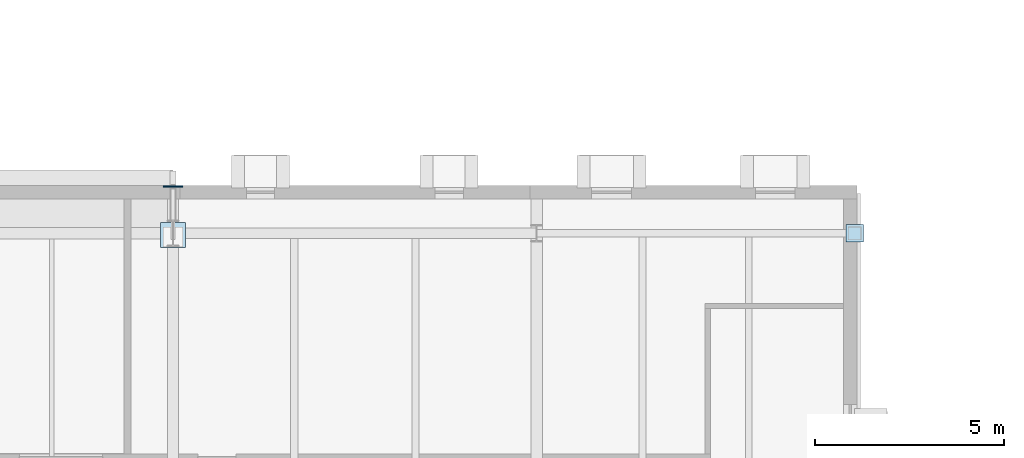
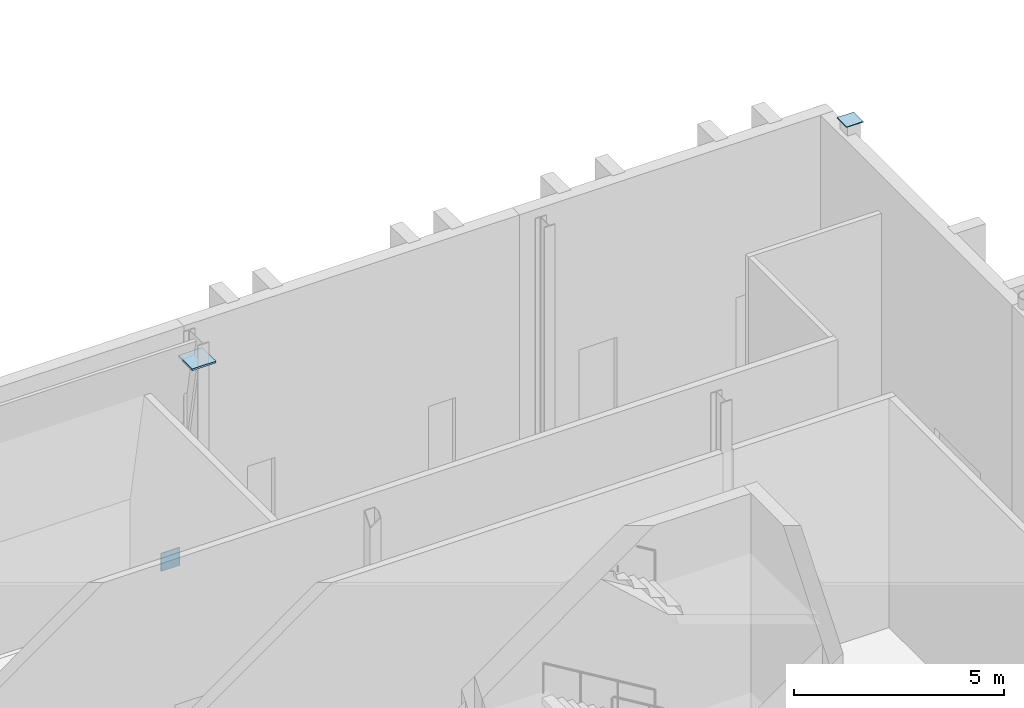
# One storey, part 45 of 79: 3 plates.
"""IFC4 building model written with IfcOpenShell, lengths in metres."""

from ifc_helpers import new_model, si_unit, direction, frame, origin, origin_2d, place, context, subcontext, project, spatial, rectangle, extrude, material, layer, layer_set, type_object, element, save


model = new_model("IFC4")

# Units and contexts
model_context = context("Model", 3, precision=1e-05, world=origin(), true_north=direction((0.0, 1.0)))
body_context = subcontext(model_context, "Body", "Model", "MODEL_VIEW")
ifc_project = project(units=[si_unit("LENGTHUNIT", "METRE"), si_unit("AREAUNIT", "SQUARE_METRE"), si_unit("VOLUMEUNIT", "CUBIC_METRE"), si_unit("PLANEANGLEUNIT", "RADIAN"), si_unit("MASSUNIT", "GRAM", prefix="KILO")], contexts=[model_context])

# Site, building, storey
site_placement = place(None, origin())
site = spatial("IfcSite", under=ifc_project, at=site_placement, CompositionType="ELEMENT")
building_placement = place(site_placement, origin())
building = spatial("IfcBuilding", under=site, at=building_placement, Name="Zereglee Splitstone Museum", CompositionType="ELEMENT")
storey_placement = place(building_placement, frame((0.0, 0.0, 9.0)))
storey = spatial("IfcBuildingStorey", under=building, at=storey_placement, Name="L02", CompositionType="ELEMENT", Elevation=9.0)

# Plates
ifc_material = material(Name="Steel S355J2", Category="steel")
ifc_layer_1 = layer(ifc_material, 0.02001953125)
ifc_layer_set_1 = layer_set([ifc_layer_1], Name="Steel S355J2")
plate_type_1 = type_object("IfcPlateType", Name="EC-01", PredefinedType="SHEET", material=ifc_layer_set_1)
plate_1_placement = place(storey_placement, frame((48.0, 38.39990234375, 8.10009765625), z_axis=(0.0, 0.0, 1.0), x_axis=(1.0, 0.0, 0.0)))
element("IfcPlate", 1, at=plate_1_placement, inside=storey, type_object=plate_type_1, Name="Hollow Column End-Cap Plate EC-01 (48.0,38.4)", PredefinedType="SHEET", context=body_context, shape_type="SweptSolid", body=[
    extrude(rectangle(XDim=0.4599609375, YDim=0.4599609375, at=origin_2d()), origin(), (0.0, 0.0, 1.0), 0.02001953125),
])
ifc_layer_2 = layer(ifc_material, 0.030029296875)
ifc_layer_set_2 = layer_set([ifc_layer_2], Name="Steel S355J2")
plate_type_2 = type_object("IfcPlateType", Name="NP-04", PredefinedType="SHEET", material=ifc_layer_set_2)
plate_2_placement = place(storey_placement, frame((30.0, 39.633544921875, 0.619873046875), z_axis=(0.0, 0.0, 1.0), x_axis=(1.0, 0.0, 0.0)))
element("IfcPlate", 2, at=plate_2_placement, inside=storey, type_object=plate_type_2, Name="Facet Tie Seal Plate FH-V1NL-N", PredefinedType="SHEET", context=body_context, shape_type="SweptSolid", body=[
    extrude(rectangle(XDim=0.52001953125, YDim=0.030029296875, at=origin_2d()), origin(), (0.0, 0.0, 1.0), 0.52001953125),
])
ifc_layer_3 = layer(ifc_material, 0.050048828125)
ifc_layer_set_3 = layer_set([ifc_layer_3], Name="Steel S355J2")
plate_type_3 = type_object("IfcPlateType", Name="NP-02", PredefinedType="SHEET", material=ifc_layer_set_3)
plate_3_placement = place(storey_placement, frame((30.0, 38.35107421875, 7.455078125), z_axis=(0.0, 0.0, 1.0), x_axis=(1.0, 0.0, 0.0)))
element("IfcPlate", 3, at=plate_3_placement, inside=storey, type_object=plate_type_3, Name="Facet Strut Seal Plate FH-V1NL-N", PredefinedType="SHEET", context=body_context, shape_type="SweptSolid", body=[
    extrude(rectangle(XDim=0.659912109375, YDim=0.659912109375, at=origin_2d()), origin(), (0.0, 0.0, 1.0), 0.050048828125),
])

save(model, "model.ifc")
